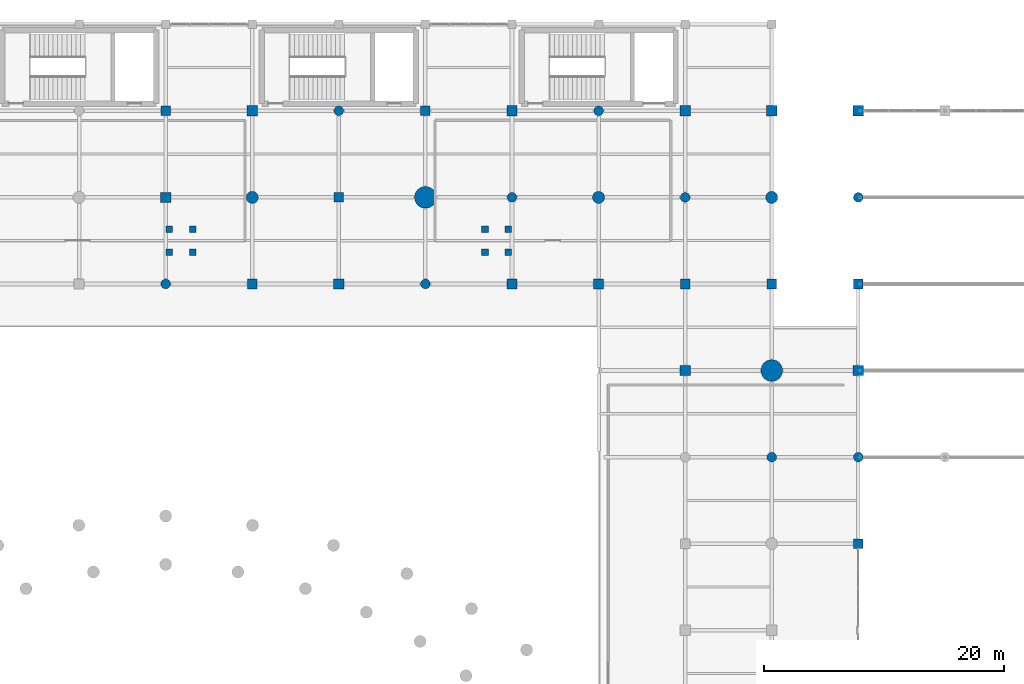
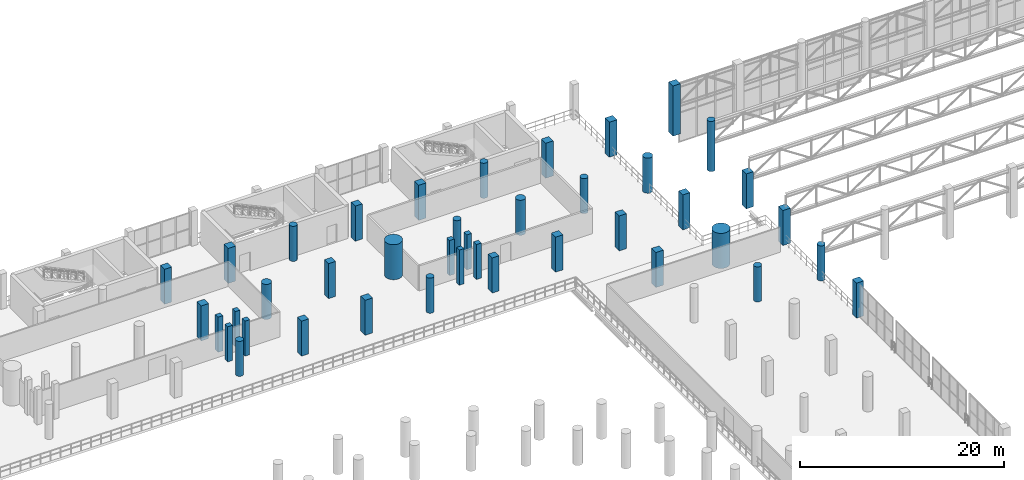
# One storey, part 2 of 153: 41 columns.
"""IFC4 building model written with IfcOpenShell, lengths in metres."""

from ifc_helpers import new_model, si_unit, direction, frame, origin, origin_2d, place, context, subcontext, project, spatial, rectangle, circle, extrude, material, material_profile, profile_set, type_object, element, save


model = new_model("IFC4")

# Units and contexts
model_context = context("Model", 3, precision=1e-05, world=origin(), true_north=direction((0.0, 1.0)))
body_context = subcontext(model_context, "Body", "Model", "MODEL_VIEW")
ifc_project = project(units=[si_unit("LENGTHUNIT", "METRE"), si_unit("AREAUNIT", "SQUARE_METRE"), si_unit("VOLUMEUNIT", "CUBIC_METRE"), si_unit("PLANEANGLEUNIT", "RADIAN"), si_unit("MASSUNIT", "GRAM", prefix="KILO")], contexts=[model_context])

# Site, building, storey
site_placement = place(None, origin())
site = spatial("IfcSite", under=ifc_project, at=site_placement, CompositionType="ELEMENT")
building_placement = place(site_placement, origin())
building = spatial("IfcBuilding", under=site, at=building_placement, Name="Qandorah Velis Arena", CompositionType="ELEMENT")
storey_placement = place(building_placement, frame((0.0, 0.0, 5.39990234375)))
storey = spatial("IfcBuildingStorey", under=building, at=storey_placement, Name="L01", CompositionType="ELEMENT", Elevation=5.39990234375)

# Columns
ifc_material_1 = material(Name="Concrete C50/60", Category="concrete")
ifc_material_profile_1 = material_profile(ifc_material_1, circle(Radius=0.89990234375, at=origin_2d()), Name="MC D1800")
ifc_profile_set_1 = profile_set([ifc_material_profile_1], Name="Concrete C50/60")
column_type_1 = type_object("IfcColumnType", Name="STR-COL-MC1800", PredefinedType="COLUMN", material=ifc_profile_set_1)
for number, where, z_axis, x_axis, name in (
    (1, (86.39990234375, 115.199951171875, 0.0), (0.0, 0.0, 1.0), (1.0, 0.0, 0.0), "Mega column MC7 (L01)"),
    (2, (115.199951171875, 100.800048828125, 0.0), (0.0, 0.0, 1.0), (1.0, 0.0, 0.0), "Mega column MC10 (L01)"),
):
    element("IfcColumn", number, at=place(storey_placement, frame(where, z_axis=z_axis, x_axis=x_axis)), inside=storey, type_object=column_type_1, Name=name, PredefinedType="COLUMN", context=body_context, shape_type="SweptSolid", body=[
        extrude(circle(Radius=0.89990234375, at=origin_2d()), origin(), (0.0, 0.0, 1.0), 4.2001953125),
    ])
ifc_material_2 = material(Name="Concrete C40/50", Category="concrete")
ifc_material_profile_2 = material_profile(ifc_material_2, rectangle(XDim=0.550048828125, YDim=0.550048828125, at=origin_2d()), Name="RC COL 550x550")
ifc_profile_set_2 = profile_set([ifc_material_profile_2], Name="Concrete C40/50")
column_type_2 = type_object("IfcColumnType", Name="STR-COL-RC550", PredefinedType="COLUMN", material=ifc_profile_set_2)
for number, where, z_axis, x_axis, name in (
    (3, (65.10009765625, 110.64990234375, 0.0), (0.0, 0.0, 1.0), (1.0, 0.0, 0.0), "Vomitory VS13 L01 landing column 1"),
    (4, (67.050048828125, 110.64990234375, 0.0), (0.0, 0.0, 1.0), (1.0, 0.0, 0.0), "Vomitory VS13 L01 landing column 2"),
    (5, (65.10009765625, 112.550048828125, 0.0), (0.0, 0.0, 1.0), (1.0, 0.0, 0.0), "Vomitory VS13 L01 landing column 3"),
    (6, (67.050048828125, 112.550048828125, 0.0), (0.0, 0.0, 1.0), (1.0, 0.0, 0.0), "Vomitory VS13 L01 landing column 4"),
    (7, (91.35009765625, 110.64990234375, 0.0), (0.0, 0.0, 1.0), (1.0, 0.0, 0.0), "Vomitory VS14 L01 landing column 1"),
    (8, (93.300048828125, 110.64990234375, 0.0), (0.0, 0.0, 1.0), (1.0, 0.0, 0.0), "Vomitory VS14 L01 landing column 2"),
    (9, (91.35009765625, 112.550048828125, 0.0), (0.0, 0.0, 1.0), (1.0, 0.0, 0.0), "Vomitory VS14 L01 landing column 3"),
    (10, (93.300048828125, 112.550048828125, 0.0), (0.0, 0.0, 1.0), (1.0, 0.0, 0.0), "Vomitory VS14 L01 landing column 4"),
):
    element("IfcColumn", number, at=place(storey_placement, frame(where, z_axis=z_axis, x_axis=x_axis)), inside=storey, type_object=column_type_2, Name=name, PredefinedType="COLUMN", context=body_context, shape_type="SweptSolid", body=[
        extrude(rectangle(XDim=0.550048828125, YDim=0.550048828125, at=origin_2d()), origin(), (0.0, 0.0, 1.0), 4.2001953125),
    ])
ifc_material_profile_3 = material_profile(ifc_material_2, rectangle(XDim=0.800048828125, YDim=0.800048828125, at=origin_2d()), Name="RC COL 800x800")
ifc_profile_set_3 = profile_set([ifc_material_profile_3], Name="Concrete C40/50")
column_type_3 = type_object("IfcColumnType", Name="STR-COL-RC800", PredefinedType="COLUMN", material=ifc_profile_set_3)
for number, where, z_axis, x_axis, name in (
    (11, (64.800048828125, 122.39990234375, 0.0), (0.0, 0.0, 1.0), (1.0, 0.0, 0.0), "Structural column L01-106"),
    (12, (72.0, 108.0, 0.0), (0.0, 0.0, 1.0), (1.0, 0.0, 0.0), "Structural column L01-112"),
    (13, (79.199951171875, 115.199951171875, 0.0), (0.0, 0.0, 1.0), (1.0, 0.0, 0.0), "Structural column L01-121"),
    (14, (86.39990234375, 122.39990234375, 0.0), (0.0, 0.0, 1.0), (1.0, 0.0, 0.0), "Structural column L01-130"),
    (15, (93.60009765625, 108.0, 0.0), (0.0, 0.0, 1.0), (1.0, 0.0, 0.0), "Structural column L01-136"),
    (16, (108.0, 108.0, 0.0), (0.0, 0.0, 1.0), (1.0, 0.0, 0.0), "Structural column L01-163"),
    (17, (115.199951171875, 108.0, 0.0), (0.0, 0.0, 1.0), (1.0, 0.0, 0.0), "Structural column L01-181"),
    (18, (122.39990234375, 86.39990234375, 0.0), (0.0, 0.0, 1.0), (1.0, 0.0, 0.0), "Structural column L01-190"),
    (19, (122.39990234375, 108.0, 0.0), (0.0, 0.0, 1.0), (1.0, 0.0, 0.0), "Structural column L01-193"),
):
    element("IfcColumn", number, at=place(storey_placement, frame(where, z_axis=z_axis, x_axis=x_axis)), inside=storey, type_object=column_type_3, Name=name, PredefinedType="COLUMN", context=body_context, shape_type="SweptSolid", body=[
        extrude(rectangle(XDim=0.800048828125, YDim=0.800048828125, at=origin_2d()), origin(), (0.0, 0.0, 1.0), 4.2001953125),
    ])
ifc_material_profile_4 = material_profile(ifc_material_2, rectangle(XDim=0.85009765625, YDim=0.85009765625, at=origin_2d()), Name="RC COL 850x850")
ifc_profile_set_4 = profile_set([ifc_material_profile_4], Name="Concrete C40/50")
column_type_4 = type_object("IfcColumnType", Name="STR-COL-RC850", PredefinedType="COLUMN", material=ifc_profile_set_4)
for number, where, z_axis, x_axis, name in (
    (20, (64.800048828125, 115.199951171875, 0.0), (0.0, 0.0, 1.0), (1.0, 0.0, 0.0), "Structural column L01-105"),
    (21, (72.0, 122.39990234375, 0.0), (0.0, 0.0, 1.0), (1.0, 0.0, 0.0), "Structural column L01-114"),
    (22, (79.199951171875, 108.0, 0.0), (0.0, 0.0, 1.0), (1.0, 0.0, 0.0), "Structural column L01-120"),
    (23, (93.60009765625, 122.39990234375, 0.0), (0.0, 0.0, 1.0), (1.0, 0.0, 0.0), "Structural column L01-138"),
    (24, (100.800048828125, 108.0, 0.0), (0.0, 0.0, 1.0), (1.0, 0.0, 0.0), "Structural column L01-144"),
    (25, (108.0, 100.800048828125, 0.0), (0.0, 0.0, 1.0), (1.0, 0.0, 0.0), "Structural column L01-162"),
    (26, (108.0, 122.39990234375, 0.0), (0.0, 0.0, 1.0), (1.0, 0.0, 0.0), "Structural column L01-165"),
    (27, (115.199951171875, 122.39990234375, 0.0), (0.0, 0.0, 1.0), (1.0, 0.0, 0.0), "Structural column L01-183"),
    (28, (122.39990234375, 100.800048828125, 0.0), (0.0, 0.0, 1.0), (1.0, 0.0, 0.0), "Structural column L01-192"),
):
    element("IfcColumn", number, at=place(storey_placement, frame(where, z_axis=z_axis, x_axis=x_axis)), inside=storey, type_object=column_type_4, Name=name, PredefinedType="COLUMN", context=body_context, shape_type="SweptSolid", body=[
        extrude(rectangle(XDim=0.85009765625, YDim=0.85009765625, at=origin_2d()), origin(), (0.0, 0.0, 1.0), 4.2001953125),
    ])
column_1_placement = place(storey_placement, frame((122.39990234375, 122.39990234375, 0.0), z_axis=(0.0, 0.0, 1.0), x_axis=(1.0, 0.0, 0.0)))
element("IfcColumn", 29, at=column_1_placement, inside=storey, type_object=column_type_4, Name="Structural column L01-195", PredefinedType="COLUMN", context=body_context, shape_type="SweptSolid", body=[
    extrude(rectangle(XDim=0.85009765625, YDim=0.85009765625, at=origin_2d()), origin(), (0.0, 0.0, 1.0), 6.0),
])
ifc_material_profile_5 = material_profile(ifc_material_2, circle(Radius=0.5, at=origin_2d()), Name="RC D1000")
ifc_profile_set_5 = profile_set([ifc_material_profile_5], Name="Concrete C40/50")
column_type_5 = type_object("IfcColumnType", Name="STR-COL-RCD1000", PredefinedType="COLUMN", material=ifc_profile_set_5)
for number, where, z_axis, x_axis, name in (
    (30, (72.0, 115.199951171875, 0.0), (0.0, 0.0, 1.0), (1.0, 0.0, 0.0), "Bowl drum ring column L01-113"),
    (31, (100.800048828125, 115.199951171875, 0.0), (0.0, 0.0, 1.0), (1.0, 0.0, 0.0), "Bowl drum ring column L01-145"),
    (32, (115.199951171875, 115.199951171875, 0.0), (0.0, 0.0, 1.0), (1.0, 0.0, 0.0), "Bowl drum ring column L01-182"),
):
    element("IfcColumn", number, at=place(storey_placement, frame(where, z_axis=z_axis, x_axis=x_axis)), inside=storey, type_object=column_type_5, Name=name, PredefinedType="COLUMN", context=body_context, shape_type="SweptSolid", body=[
        extrude(circle(Radius=0.5, at=origin_2d()), origin(), (0.0, 0.0, 1.0), 4.2001953125),
    ])
ifc_material_profile_6 = material_profile(ifc_material_2, circle(Radius=0.39990234375, at=origin_2d()), Name="RC D800")
ifc_profile_set_6 = profile_set([ifc_material_profile_6], Name="Concrete C40/50")
column_type_6 = type_object("IfcColumnType", Name="STR-COL-RCD800", PredefinedType="COLUMN", material=ifc_profile_set_6)
for number, where, z_axis, x_axis, name in (
    (33, (64.800048828125, 108.0, 0.0), (0.0, 0.0, 1.0), (1.0, 0.0, 0.0), "Structural column L01-104"),
    (34, (79.199951171875, 122.39990234375, 0.0), (0.0, 0.0, 1.0), (1.0, 0.0, 0.0), "Structural column L01-122"),
    (35, (86.39990234375, 108.0, 0.0), (0.0, 0.0, 1.0), (1.0, 0.0, 0.0), "Structural column L01-128"),
    (36, (93.60009765625, 115.199951171875, 0.0), (0.0, 0.0, 1.0), (1.0, 0.0, 0.0), "Structural column L01-137"),
    (37, (100.800048828125, 122.39990234375, 0.0), (0.0, 0.0, 1.0), (1.0, 0.0, 0.0), "Structural column L01-146"),
    (38, (108.0, 115.199951171875, 0.0), (0.0, 0.0, 1.0), (1.0, 0.0, 0.0), "Structural column L01-164"),
    (39, (115.199951171875, 93.60009765625, 0.0), (0.0, 0.0, 1.0), (1.0, 0.0, 0.0), "Structural column L01-179"),
    (40, (122.39990234375, 93.60009765625, 0.0), (0.0, 0.0, 1.0), (1.0, 0.0, 0.0), "Structural column L01-191"),
):
    element("IfcColumn", number, at=place(storey_placement, frame(where, z_axis=z_axis, x_axis=x_axis)), inside=storey, type_object=column_type_6, Name=name, PredefinedType="COLUMN", context=body_context, shape_type="SweptSolid", body=[
        extrude(circle(Radius=0.39990234375, at=origin_2d()), origin(), (0.0, 0.0, 1.0), 4.2001953125),
    ])
column_2_placement = place(storey_placement, frame((122.39990234375, 115.199951171875, 0.0), z_axis=(0.0, 0.0, 1.0), x_axis=(1.0, 0.0, 0.0)))
element("IfcColumn", 41, at=column_2_placement, inside=storey, type_object=column_type_6, Name="Structural column L01-194", PredefinedType="COLUMN", context=body_context, shape_type="SweptSolid", body=[
    extrude(circle(Radius=0.39990234375, at=origin_2d()), origin(), (0.0, 0.0, 1.0), 6.0),
])

save(model, "model.ifc")
